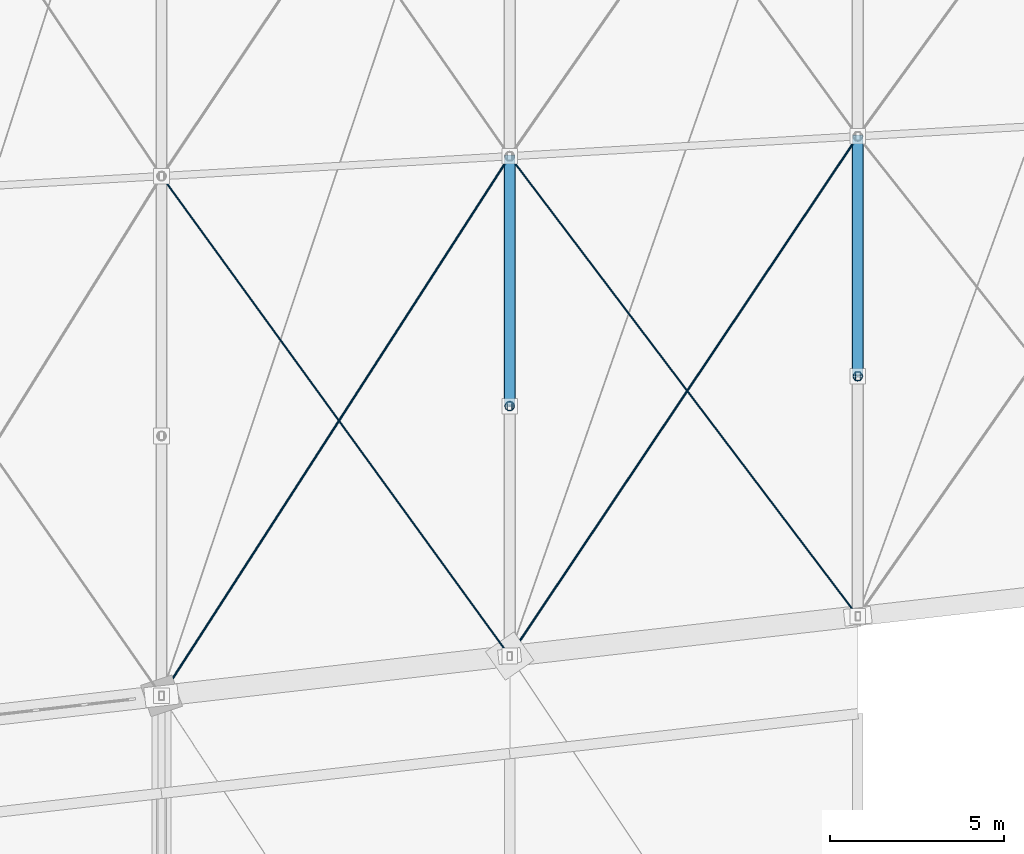
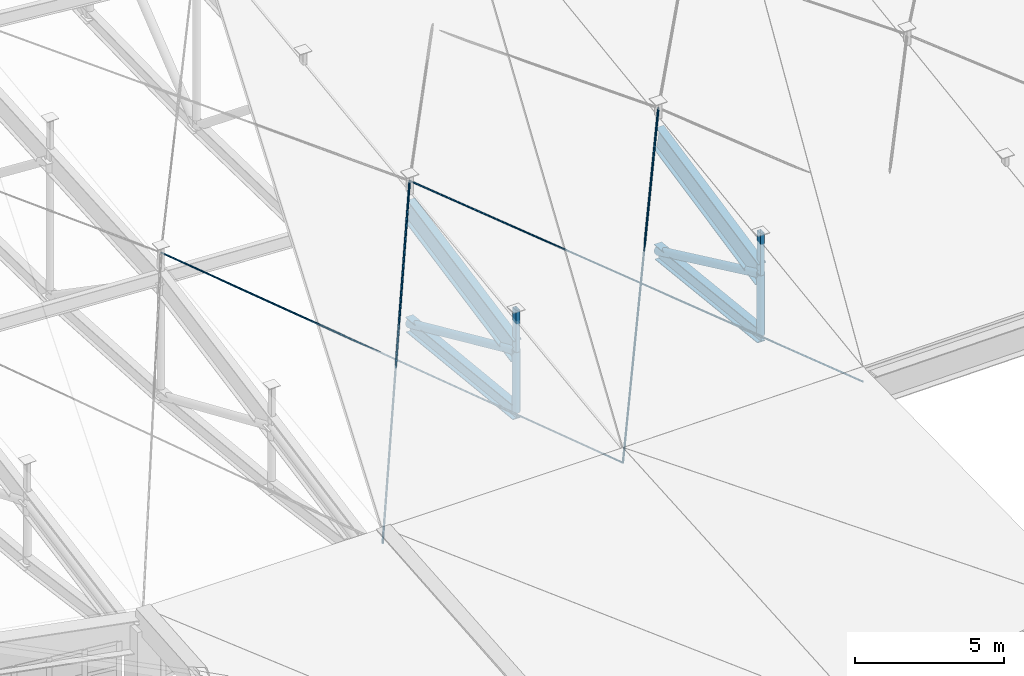
# One storey, part 21 of 68: 10 members, 4 beams.
"""IFC4 building model written with IfcOpenShell, lengths in metres."""

from ifc_helpers import new_model, si_unit, direction, frame, origin, origin_2d, place, context, subcontext, project, spatial, hollow_rectangle, circle, hollow_circle, i_section, extrude, material, material_profile, profile_set, type_object, element, save


model = new_model("IFC4")

# Units and contexts
model_context = context("Model", 3, precision=1e-05, world=origin(), true_north=direction((0.0, 1.0)))
body_context = subcontext(model_context, "Body", "Model", "MODEL_VIEW")
ifc_project = project(units=[si_unit("LENGTHUNIT", "METRE"), si_unit("AREAUNIT", "SQUARE_METRE"), si_unit("VOLUMEUNIT", "CUBIC_METRE"), si_unit("PLANEANGLEUNIT", "RADIAN"), si_unit("MASSUNIT", "GRAM", prefix="KILO")], contexts=[model_context])

# Site, building, storey
site_placement = place(None, origin())
site = spatial("IfcSite", under=ifc_project, at=site_placement, CompositionType="ELEMENT")
building_placement = place(site_placement, origin())
building = spatial("IfcBuilding", under=site, at=building_placement, Name="Sohan Crest Arena", CompositionType="ELEMENT")
storey_placement = place(building_placement, frame((0.0, 0.0, 27.0)))
storey = spatial("IfcBuildingStorey", under=building, at=storey_placement, Name="RF", CompositionType="ELEMENT", Elevation=27.0)

# Beams
ifc_material_1 = material(Name="Steel S355", Category="steel")
ifc_material_profile_1 = material_profile(ifc_material_1, i_section(OverallWidth=0.300048828125, OverallDepth=0.60009765625, WebThickness=0.015380859375, FlangeThickness=0.030029296875, at=origin_2d()), Name="HEB 600")
ifc_profile_set_1 = profile_set([ifc_material_profile_1], Name="Steel S355")
beam_type_1 = type_object("IfcBeamType", Name="STR-BM-B15", PredefinedType="BEAM", material=ifc_profile_set_1)
beam_1_placement = place(storey_placement, frame((118.0, 56.465087890625, -1.4130859375), z_axis=(0.0, 0.994585605734, -0.103920512255), x_axis=(-1.0, 0.0, 0.0)))
element("IfcBeam", 1, at=beam_1_placement, inside=storey, type_object=beam_type_1, Name="Structural beam RAB-RF-3051", PredefinedType="BEAM", context=body_context, shape_type="SweptSolid", body=[
    extrude(i_section(OverallWidth=0.300048828125, OverallDepth=0.60009765625, WebThickness=0.015380859375, FlangeThickness=0.030029296875, at=origin_2d()), origin(), (0.0, 0.0, 1.0), 7.217041015625),
])
beam_2_placement = place(storey_placement, frame((128.0, 57.322021484375, -2.27294921875), z_axis=(0.0, 0.994132780739, -0.10816660418), x_axis=(-1.0, 0.0, 0.0)))
element("IfcBeam", 2, at=beam_2_placement, inside=storey, type_object=beam_type_1, Name="Structural beam RAB-RF-3067", PredefinedType="BEAM", context=body_context, shape_type="SweptSolid", body=[
    extrude(i_section(OverallWidth=0.300048828125, OverallDepth=0.60009765625, WebThickness=0.015380859375, FlangeThickness=0.030029296875, at=origin_2d()), origin(), (0.0, 0.0, 1.0), 6.933837890625),
])
ifc_material_profile_2 = material_profile(ifc_material_1, i_section(OverallWidth=0.300048828125, OverallDepth=1.0, WebThickness=0.01904296875, FlangeThickness=0.035888671875, at=origin_2d()), Name="HEB 1000")
ifc_profile_set_2 = profile_set([ifc_material_profile_2], Name="Steel S355")
beam_type_2 = type_object("IfcBeamType", Name="STR-BM-B19", PredefinedType="BEAM", material=ifc_profile_set_2)
beam_3_placement = place(storey_placement, frame((118.0, 56.465087890625, 1.0810546875), z_axis=(0.0, 0.980389115196, 0.197071516983), x_axis=(-1.0, 0.0, 0.0)))
element("IfcBeam", 3, at=beam_3_placement, inside=storey, type_object=beam_type_2, Name="Structural beam RA-RF-3050", PredefinedType="BEAM", context=body_context, shape_type="SweptSolid", body=[
    extrude(i_section(OverallWidth=0.300048828125, OverallDepth=1.0, WebThickness=0.01904296875, FlangeThickness=0.035888671875, at=origin_2d()), origin(), (0.0, 0.0, 1.0), 7.321533203125),
])
beam_4_placement = place(storey_placement, frame((128.0, 57.322021484375, 0.220947265625), z_axis=(0.0, 0.978751972631, 0.205047740955), x_axis=(-1.0, 0.0, 0.0)))
element("IfcBeam", 4, at=beam_4_placement, inside=storey, type_object=beam_type_2, Name="Structural beam RA-RF-3066", PredefinedType="BEAM", context=body_context, shape_type="SweptSolid", body=[
    extrude(i_section(OverallWidth=0.300048828125, OverallDepth=1.0, WebThickness=0.01904296875, FlangeThickness=0.035888671875, at=origin_2d()), origin(), (0.0, 0.0, 1.0), 7.042724609375),
])

# Members
ifc_material_profile_3 = material_profile(ifc_material_1, hollow_circle(Radius=0.136474609375, WallThickness=0.012451171875, at=origin_2d()), Name="CHS 273x12.5")
ifc_profile_set_3 = profile_set([ifc_material_profile_3], Name="Steel S355")
member_type_1 = type_object("IfcMemberType", Name="STR-MEM-BR02", PredefinedType="BRACE", material=ifc_profile_set_3)
member_1_placement = place(storey_placement, frame((118.0, 56.465087890625, -1.4130859375), z_axis=(0.0, 0.0, 1.0), x_axis=(1.0, 0.0, 0.0)))
element("IfcMember", 5, at=member_1_placement, inside=storey, type_object=member_type_1, Name="Lenticular roof truss web strut TW-119", PredefinedType="BRACE", context=body_context, shape_type="SweptSolid", body=[
    extrude(hollow_circle(Radius=0.136474609375, WallThickness=0.012451171875, at=origin_2d()), origin(), (0.0, 0.0, 1.0), 2.494140625),
])
member_2_placement = place(storey_placement, frame((128.0, 57.322021484375, -2.27294921875), z_axis=(0.0, 0.0, 1.0), x_axis=(1.0, 0.0, 0.0)))
element("IfcMember", 6, at=member_2_placement, inside=storey, type_object=member_type_1, Name="Lenticular roof truss web strut TW-143", PredefinedType="BRACE", context=body_context, shape_type="SweptSolid", body=[
    extrude(hollow_circle(Radius=0.136474609375, WallThickness=0.012451171875, at=origin_2d()), origin(), (0.0, 0.0, 1.0), 2.493896484375),
])
ifc_material_profile_4 = material_profile(ifc_material_1, hollow_circle(Radius=0.161865234375, WallThickness=0.012451171875, at=origin_2d()), Name="CHS 323.9x12.5")
ifc_profile_set_4 = profile_set([ifc_material_profile_4], Name="Steel S355")
member_type_2 = type_object("IfcMemberType", Name="STR-MEM-BR03", PredefinedType="BRACE", material=ifc_profile_set_4)
member_3_placement = place(storey_placement, frame((118.0, 63.64306640625, -2.1630859375), z_axis=(0.0, -0.91125280146, 0.411847461848), x_axis=(1.0, 0.0, 0.0)))
element("IfcMember", 7, at=member_3_placement, inside=storey, type_object=member_type_2, Name="Lenticular roof truss web diagonal TD-120", PredefinedType="BRACE", context=body_context, shape_type="SweptSolid", body=[
    extrude(hollow_circle(Radius=0.161865234375, WallThickness=0.012451171875, at=origin_2d()), origin(), (0.0, 0.0, 1.0), 7.876953125),
])
member_4_placement = place(storey_placement, frame((128.0, 64.215087890625, -3.02294921875), z_axis=(0.0, -0.904813618201, 0.425807839663), x_axis=(1.0, 0.0, 0.0)))
element("IfcMember", 8, at=member_4_placement, inside=storey, type_object=member_type_2, Name="Lenticular roof truss web diagonal TD-144", PredefinedType="BRACE", context=body_context, shape_type="SweptSolid", body=[
    extrude(hollow_circle(Radius=0.161865234375, WallThickness=0.012451171875, at=origin_2d()), origin(), (0.0, 0.0, 1.0), 7.6181640625),
])
ifc_material_2 = material(Name="Steel S460", Category="steel")
ifc_material_profile_5 = material_profile(ifc_material_2, circle(Radius=0.031982421875, at=origin_2d()), Name="FLC D64")
ifc_profile_set_5 = profile_set([ifc_material_profile_5], Name="Steel S460")
member_type_3 = type_object("IfcMemberType", Name="STR-MEM-CB01", PredefinedType="USERDEFINED", material=ifc_profile_set_5)
member_5_placement = place(storey_placement, frame((108.0, 48.14306640625, 1.712890625), z_axis=(0.538995518101, 0.835443053056, 0.107325377091), x_axis=(-0.840296648224, 0.542126869822, 0.0)))
element("IfcMember", 9, at=member_5_placement, inside=storey, type_object=member_type_3, Name="Full-locked-coil roof cable CB-009", ObjectType="CABLE", PredefinedType="USERDEFINED", context=body_context, shape_type="SweptSolid", body=[
    extrude(circle(Radius=0.031982421875, at=origin_2d()), origin(), (0.0, 0.0, 1.0), 18.552978515625),
])
member_6_placement = place(storey_placement, frame((118.0, 49.285888671875, 0.81689453125), z_axis=(0.553006267517, 0.825594073697, 0.112153883405), x_axis=(-0.830835941835, 0.556517419094, 0.0)))
element("IfcMember", 10, at=member_6_placement, inside=storey, type_object=member_type_3, Name="Full-locked-coil roof cable CB-017", ObjectType="CABLE", PredefinedType="USERDEFINED", context=body_context, shape_type="SweptSolid", body=[
    extrude(circle(Radius=0.031982421875, at=origin_2d()), origin(), (0.0, 0.0, 1.0), 18.0830078125),
])
ifc_material_profile_6 = material_profile(ifc_material_2, circle(Radius=0.02587890625, at=origin_2d()), Name="FLC D52")
ifc_profile_set_6 = profile_set([ifc_material_profile_6], Name="Steel S460")
member_type_4 = type_object("IfcMemberType", Name="STR-MEM-CB02", PredefinedType="USERDEFINED", material=ifc_profile_set_6)
member_7_placement = place(storey_placement, frame((108.0, 63.072021484375, 4.60107421875), z_axis=(0.573183586843, -0.790198505417, -0.216902968654), x_axis=(0.809469407214, 0.58716205496, 0.0)))
element("IfcMember", 11, at=member_7_placement, inside=storey, type_object=member_type_4, Name="Full-locked-coil roof cable CB-010", ObjectType="CABLE", PredefinedType="USERDEFINED", context=body_context, shape_type="SweptSolid", body=[
    extrude(circle(Radius=0.02587890625, at=origin_2d()), origin(), (0.0, 0.0, 1.0), 17.446533203125),
])
member_8_placement = place(storey_placement, frame((118.0, 63.64306640625, 3.7041015625), z_axis=(0.588588477692, -0.777767367067, -0.220548241104), x_axis=(0.797402553602, 0.603447733867, 0.0)))
element("IfcMember", 12, at=member_8_placement, inside=storey, type_object=member_type_4, Name="Full-locked-coil roof cable CB-018", ObjectType="CABLE", PredefinedType="USERDEFINED", context=body_context, shape_type="SweptSolid", body=[
    extrude(circle(Radius=0.02587890625, at=origin_2d()), origin(), (0.0, 0.0, 1.0), 16.98974609375),
])
ifc_material_profile_7 = material_profile(ifc_material_1, hollow_rectangle(XDim=0.14990234375, YDim=0.25, WallThickness=0.010009765625, at=origin_2d()), Name="RHS 250x150x10")
ifc_profile_set_7 = profile_set([ifc_material_profile_7], Name="Steel S355")
member_type_5 = type_object("IfcMemberType", Name="STR-MEM-CH02", PredefinedType="CHORD", material=ifc_profile_set_7)
for number, where, z_axis, x_axis, name in (
    (13, (118.0, 56.465087890625, 1.0810546875), (0.0, 0.0, 1.0), (1.0, 0.0, 0.0), "Roof deck bearing saddle chord RSP-110"),
    (14, (128.0, 57.322021484375, 0.220947265625), (0.0, 0.0, 1.0), (1.0, 0.0, 0.0), "Roof deck bearing saddle chord RSP-134"),
):
    element("IfcMember", number, at=place(storey_placement, frame(where, z_axis=z_axis, x_axis=x_axis)), inside=storey, type_object=member_type_5, Name=name, PredefinedType="CHORD", context=body_context, shape_type="SweptSolid", body=[
        extrude(hollow_rectangle(XDim=0.14990234375, YDim=0.25, WallThickness=0.010009765625, at=origin_2d()), origin(), (0.0, 0.0, 1.0), 1.72998046875),
    ])

save(model, "model.ifc")
